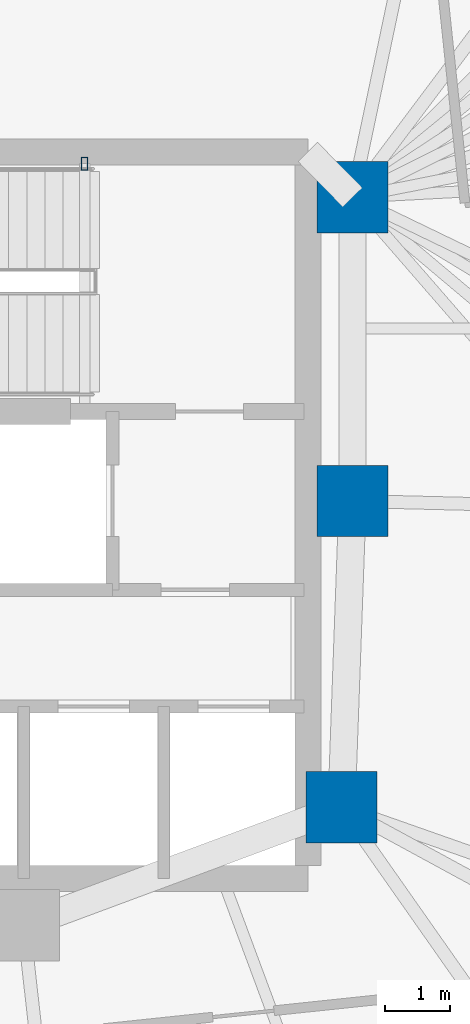
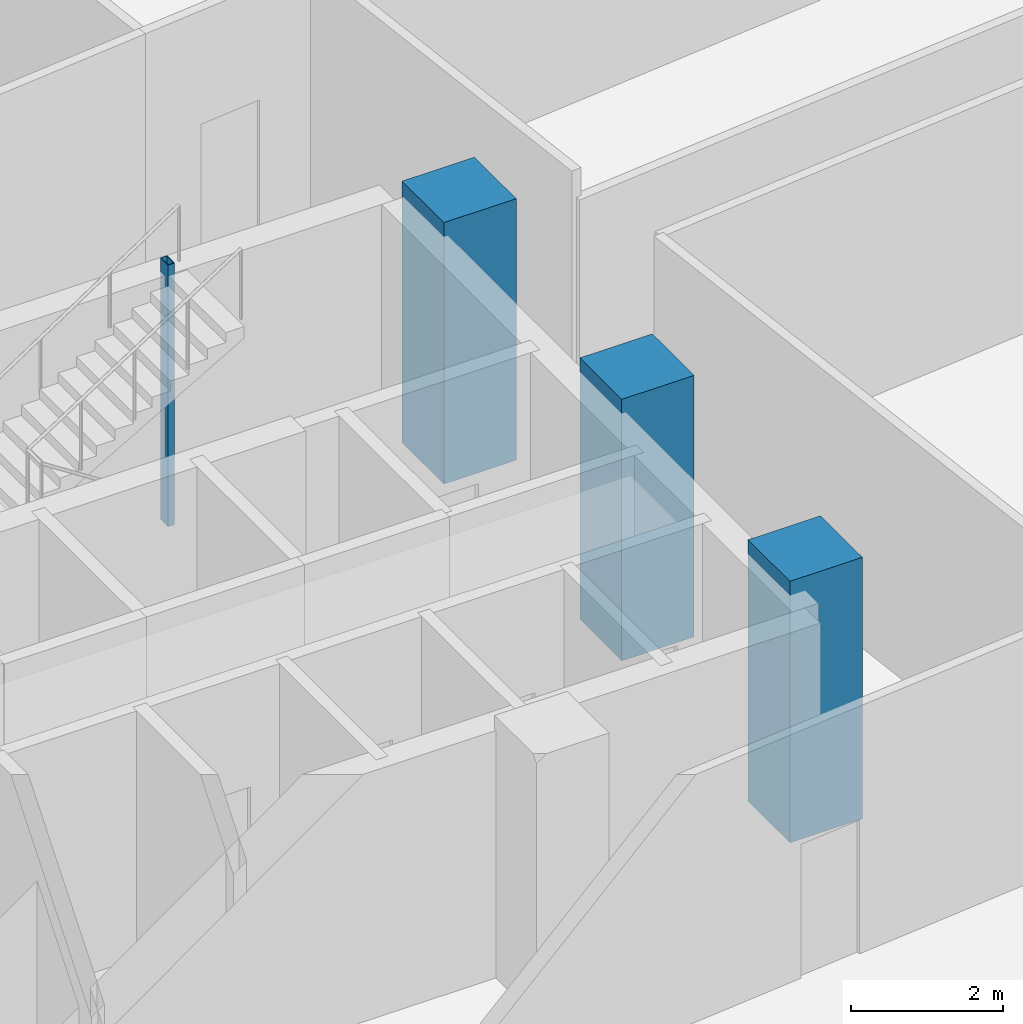
# One storey, part 4 of 16: 4 columns.
"""IFC4 building model written with IfcOpenShell, lengths in metres."""

from ifc_helpers import new_model, si_unit, direction, frame, origin, origin_2d, place, context, subcontext, project, spatial, rectangle, hollow_rectangle, extrude, material, material_profile, profile_set, type_object, element, save


model = new_model("IFC4")

# Units and contexts
model_context = context("Model", 3, precision=1e-05, world=origin(), true_north=direction((0.0, 1.0)))
body_context = subcontext(model_context, "Body", "Model", "MODEL_VIEW")
ifc_project = project(units=[si_unit("LENGTHUNIT", "METRE"), si_unit("AREAUNIT", "SQUARE_METRE"), si_unit("VOLUMEUNIT", "CUBIC_METRE"), si_unit("PLANEANGLEUNIT", "RADIAN"), si_unit("MASSUNIT", "GRAM", prefix="KILO")], contexts=[model_context])

# Site, building, storey
site_placement = place(None, origin())
site = spatial("IfcSite", under=ifc_project, at=site_placement, CompositionType="ELEMENT")
building_placement = place(site_placement, origin())
building = spatial("IfcBuilding", under=site, at=building_placement, Name="Menara Jurai Vektor", CompositionType="ELEMENT")
storey_placement = place(building_placement, frame((0.0, 0.0, 83.199951171875)))
storey = spatial("IfcBuildingStorey", under=building, at=storey_placement, Name="L20", CompositionType="ELEMENT", Elevation=83.199951171875)

# Columns
ifc_material_1 = material(Name="Concrete C50/60", Category="concrete")
ifc_material_profile_1 = material_profile(ifc_material_1, rectangle(XDim=1.10009765625, YDim=1.10009765625, at=origin_2d()), Name="RC 1100x1100")
ifc_profile_set_1 = profile_set([ifc_material_profile_1], Name="Concrete C50/60")
column_type_1 = type_object("IfcColumnType", Name="STR-COL-RC1100", PredefinedType="COLUMN", material=ifc_profile_set_1)
for number, where, z_axis, x_axis, name in (
    (1, (15.25, 4.89990234375, 0.0), (0.0, 0.0, 1.0), (1.0, 0.0, 0.0), "Core Spine Column CE-NE L20"),
    (2, (15.25, 0.219970703125, 0.0), (0.0, 0.0, 1.0), (1.0, 0.0, 0.0), "Core Spine Column CE-EM L20"),
    (3, (15.080078125, -4.5, 0.0), (0.0, 0.0, 1.0), (1.0, 0.0, 0.0), "Core Spine Column CE-SE L20"),
):
    element("IfcColumn", number, at=place(storey_placement, frame(where, z_axis=z_axis, x_axis=x_axis)), inside=storey, type_object=column_type_1, Name=name, PredefinedType="COLUMN", context=body_context, shape_type="SweptSolid", body=[
        extrude(rectangle(XDim=1.10009765625, YDim=1.10009765625, at=origin_2d()), origin(), (0.0, 0.0, 1.0), 4.199951171875),
    ])
ifc_material_2 = material(Name="Steel S355", Category="steel")
ifc_material_profile_2 = material_profile(ifc_material_2, hollow_rectangle(XDim=0.10009765625, YDim=0.199951171875, WallThickness=0.008056640625, at=origin_2d()), Name="RHS 200x100x8")
ifc_profile_set_2 = profile_set([ifc_material_profile_2], Name="Steel S355")
column_type_2 = type_object("IfcColumnType", Name="STR-COL-STAIR", PredefinedType="COLUMN", material=ifc_profile_set_2)
column_placement = place(storey_placement, frame((11.1201171875, 5.419921875, 0.0), z_axis=(0.0, 0.0, 1.0), x_axis=(1.0, 0.0, 0.0)))
element("IfcColumn", 4, at=column_placement, inside=storey, type_object=column_type_2, Name="Stair Well Header Column ST2-P2 L20", PredefinedType="COLUMN", context=body_context, shape_type="SweptSolid", body=[
    extrude(hollow_rectangle(XDim=0.10009765625, YDim=0.199951171875, WallThickness=0.008056640625, at=origin_2d()), origin(), (0.0, 0.0, 1.0), 4.199951171875),
])

save(model, "model.ifc")
